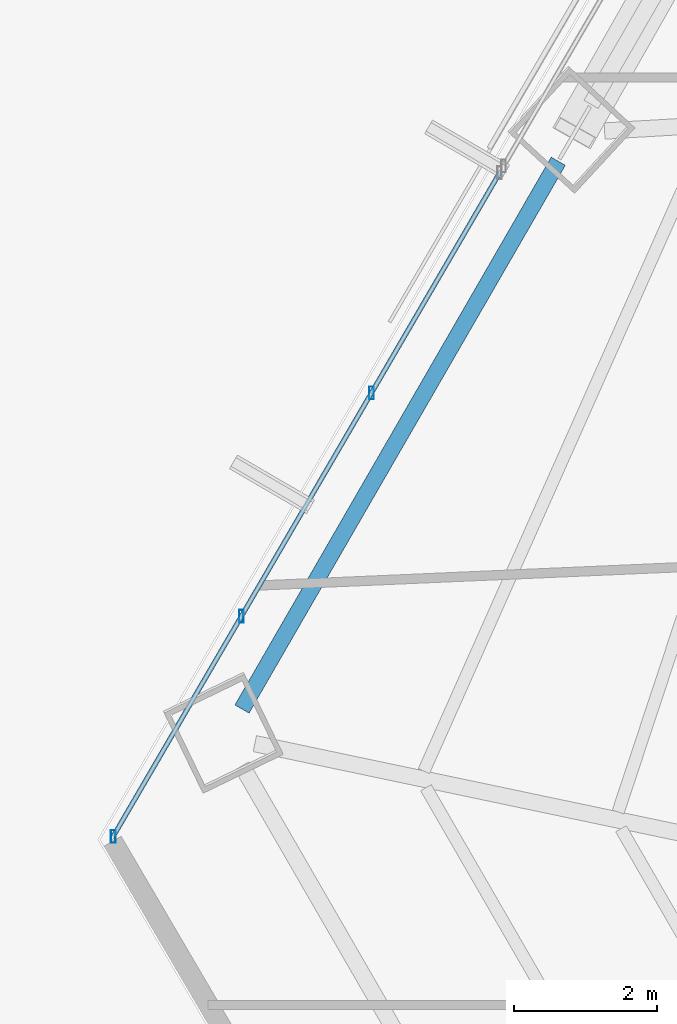
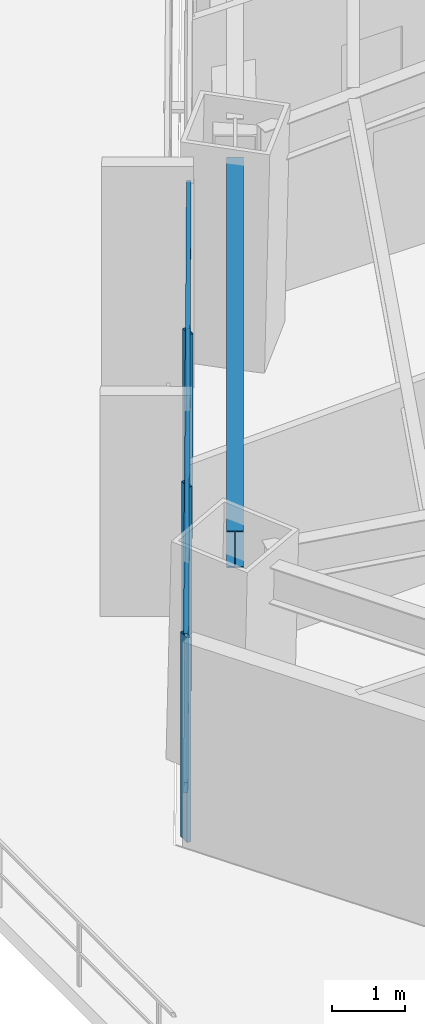
# One storey, part 9 of 35: 5 members, 1 beam, 1 element without a shape of its own.
"""IFC4 building model written with IfcOpenShell, lengths in metres."""

from ifc_helpers import new_model, si_unit, direction, frame, origin, origin_2d, place, context, subcontext, project, spatial, hollow_rectangle, i_section, extrude, source, transform, mapped, material, material_profile, profile_set, type_object, type_shapes, element, aggregate, save


model = new_model("IFC4")

# Units and contexts
model_context = context("Model", 3, precision=1e-05, world=origin(), true_north=direction((0.0, 1.0)))
body_context = subcontext(model_context, "Body", "Model", "MODEL_VIEW")
ifc_project = project(units=[si_unit("LENGTHUNIT", "METRE"), si_unit("AREAUNIT", "SQUARE_METRE"), si_unit("VOLUMEUNIT", "CUBIC_METRE"), si_unit("PLANEANGLEUNIT", "RADIAN"), si_unit("MASSUNIT", "GRAM", prefix="KILO")], contexts=[model_context])

# Site, building, storey
site_placement = place(None, origin())
site = spatial("IfcSite", under=ifc_project, at=site_placement, CompositionType="ELEMENT")
building_placement = place(site_placement, origin())
building = spatial("IfcBuilding", under=site, at=building_placement, Name="Caelisora Broadcast Tower", CompositionType="ELEMENT")
storey_placement = place(building_placement, frame((0.0, 0.0, 27.60009765625)))
storey = spatial("IfcBuildingStorey", under=building, at=storey_placement, Name="L06", CompositionType="ELEMENT", Elevation=27.60009765625)

# Beam
ifc_material_1 = material(Name="Steel Grade 350 (AS/NZS 3679.1)", Category="steel")
ifc_material_profile_1 = material_profile(ifc_material_1, i_section(OverallWidth=0.22900390625, OverallDepth=0.611572265625, WebThickness=0.011962890625, FlangeThickness=0.01953125, at=origin_2d()), Name="Steel Grade 350 (AS/NZS 3679.1)")
ifc_profile_set_1 = profile_set([ifc_material_profile_1], Name="Steel Grade 350 (AS/NZS 3679.1)")
beam_type = type_object("IfcBeamType", Name="PG03", PredefinedType="BEAM", material=ifc_profile_set_1)
shared_shape_1 = source(origin(), body_context, "Body", "SweptSolid", [
    extrude(i_section(OverallWidth=0.22900390625, OverallDepth=0.611572265625, WebThickness=0.011962890625, FlangeThickness=0.01953125, at=origin_2d()), origin(), (0.0, 0.0, 1.0), 8.867431640625),
])
type_shapes(beam_type, [shared_shape_1])
beam_placement = place(storey_placement, frame((18.758056640625, 28.92724609375, 3.093994140625), z_axis=(-0.500009235922, -0.866020071357, 0.0), x_axis=(0.866020071357, -0.500009235922, 0.0)))
element("IfcBeam", 1, at=beam_placement, inside=storey, type_object=beam_type, Name="L06 beam PG03", PredefinedType="BEAM", context=body_context, shape_type="MappedRepresentation", body=[
    mapped(shared_shape_1, transform((0.0, 0.0, 0.0), scale=1.0)),
])

# Curtain wall, members
ifc_material_2 = material(Name="Unitised Aluminium and Low-E Glass Curtain Wall", Category="glass")
curtain_wall_type = type_object("IfcCurtainWallType", Name="CW-Z1", PredefinedType="NOTDEFINED", material=ifc_material_2)
curtain_wall_placement = place(storey_placement, origin())
curtain_wall = element("IfcCurtainWall", 2, at=curtain_wall_placement, inside=storey, type_object=curtain_wall_type, Name="L06 curtain wall CW-Z1", PredefinedType="NOTDEFINED")
ifc_material_3 = material(Name="Aluminium 6063-T6 Anodised Terracotta Bronze", Category="aluminium")
ifc_material_profile_2 = material_profile(ifc_material_3, hollow_rectangle(XDim=0.06494140625, YDim=0.179931640625, WallThickness=0.00341796875, at=origin_2d()), Name="Aluminium 6063-T6 Anodised Terracotta Bronze")
ifc_profile_set_2 = profile_set([ifc_material_profile_2], Name="Aluminium 6063-T6 Anodised Terracotta Bronze")
member_type_1 = type_object("IfcMemberType", Name="CWM-02", PredefinedType="MULLION", material=ifc_profile_set_2)
shared_shape_2 = source(origin(), body_context, "Body", "SweptSolid", [
    extrude(hollow_rectangle(XDim=0.06494140625, YDim=0.179931640625, WallThickness=0.00341796875, at=origin_2d()), origin(), (0.0, 0.0, 1.0), 3.39990234375),
])
type_shapes(member_type_1, [shared_shape_2])
member_1_placement = place(storey_placement, frame((12.519287109375, 19.462158203125, 0.0), z_axis=(0.0, 0.0, 1.0), x_axis=(1.0, 0.0, 0.0)))
member_1 = element("IfcMember", 3, at=member_1_placement, type_object=member_type_1, Name="L06-CW-B09 mullion #0", PredefinedType="MULLION", context=body_context, shape_type="MappedRepresentation", body=[
    mapped(shared_shape_2, transform((0.0, 0.0, 0.0), scale=1.0)),
])
member_2_placement = place(storey_placement, frame((14.316650390625, 22.548583984375, 0.0), z_axis=(0.0, 0.0, 1.0), x_axis=(1.0, 0.0, 0.0)))
member_2 = element("IfcMember", 4, at=member_2_placement, type_object=member_type_1, Name="L06-CW-B09 mullion #1", PredefinedType="MULLION", context=body_context, shape_type="MappedRepresentation", body=[
    mapped(shared_shape_2, transform((0.0, 0.0, 0.0), scale=1.0)),
])
member_3_placement = place(storey_placement, frame((16.139404296875, 25.67822265625, 0.0), z_axis=(0.0, 0.0, 1.0), x_axis=(1.0, 0.0, 0.0)))
member_3 = element("IfcMember", 5, at=member_3_placement, type_object=member_type_1, Name="L06-CW-B09 mullion #2", PredefinedType="MULLION", context=body_context, shape_type="MappedRepresentation", body=[
    mapped(shared_shape_2, transform((0.0, 0.0, 0.0), scale=1.0)),
])
ifc_material_profile_3 = material_profile(ifc_material_3, hollow_rectangle(XDim=0.06494140625, YDim=0.179931640625, WallThickness=0.00341796875, at=origin_2d()), Name="Aluminium 6063-T6 Anodised Terracotta Bronze")
ifc_profile_set_3 = profile_set([ifc_material_profile_3], Name="Aluminium 6063-T6 Anodised Terracotta Bronze")
member_type_2 = type_object("IfcMemberType", Name="CWT-01", PredefinedType="USERDEFINED", material=ifc_profile_set_3)
shared_shape_3 = source(origin(), body_context, "Body", "SweptSolid", [
    extrude(hollow_rectangle(XDim=0.06494140625, YDim=0.179931640625, WallThickness=0.00341796875, at=origin_2d()), origin(), (0.0, 0.0, 1.0), 10.764892578125),
])
type_shapes(member_type_2, [shared_shape_3])
member_4_placement = place(storey_placement, frame((12.519287109375, 19.462158203125, 0.849853515625), z_axis=(0.503249041309, 0.864141425012, 0.0), x_axis=(-0.864141425012, 0.503249041309, 0.0)))
member_4 = element("IfcMember", 6, at=member_4_placement, type_object=member_type_2, Name="L06-CW-B09 transom #1", ObjectType="TRANSOM", PredefinedType="USERDEFINED", context=body_context, shape_type="MappedRepresentation", body=[
    mapped(shared_shape_3, transform((0.0, 0.0, 0.0), scale=1.0)),
])
member_5_placement = place(storey_placement, frame((12.519287109375, 19.462158203125, 3.31982421875), z_axis=(0.503249041309, 0.864141425012, 0.0), x_axis=(-0.864141425012, 0.503249041309, 0.0)))
member_5 = element("IfcMember", 7, at=member_5_placement, type_object=member_type_2, Name="L06-CW-B09 transom #2", ObjectType="TRANSOM", PredefinedType="USERDEFINED", context=body_context, shape_type="MappedRepresentation", body=[
    mapped(shared_shape_3, transform((0.0, 0.0, 0.0), scale=1.0)),
])
aggregate(curtain_wall, [member_1, member_2, member_3, member_4, member_5])

save(model, "model.ifc")
